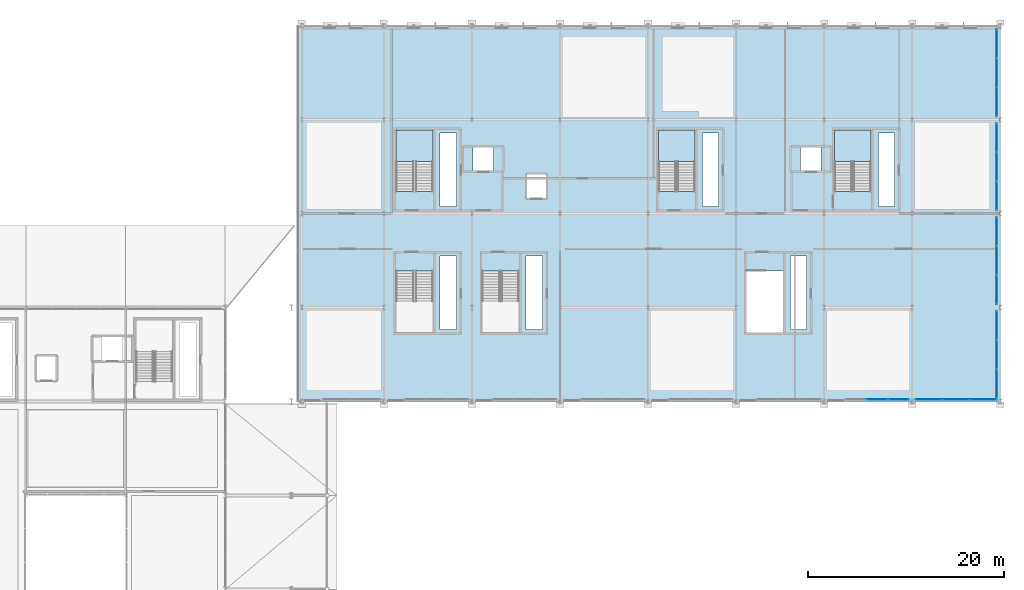
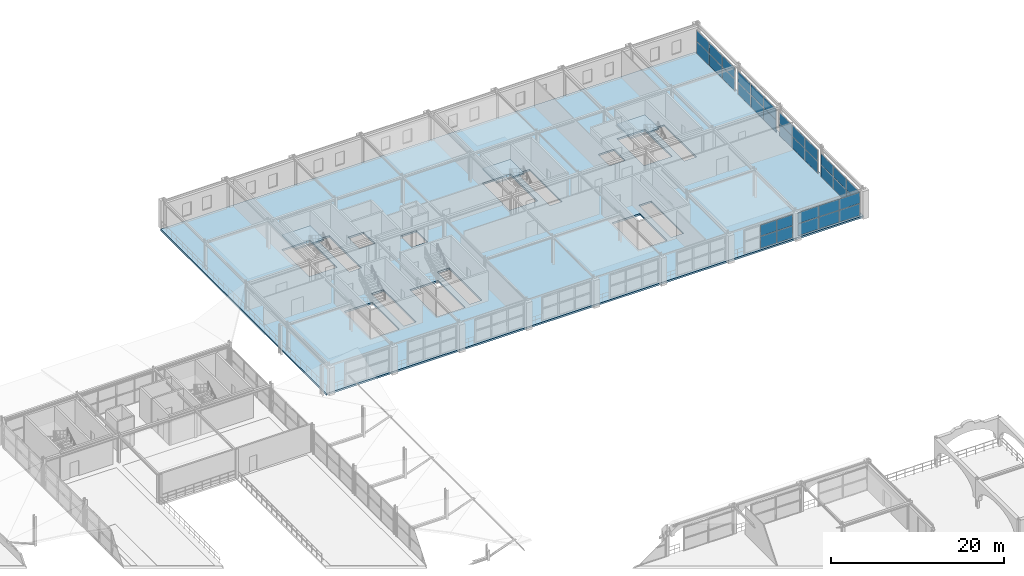
# One storey, part 39 of 81: 34 plates, 4 slabs, 9 elements without a shape of their own.
"""IFC4 building model written with IfcOpenShell, lengths in metres."""

from ifc_helpers import new_model, si_unit, direction, frame, origin, origin_2d, place, context, subcontext, project, spatial, polyline, rectangle, outline, extrude, material, layer, layer_set, type_object, element, aggregate, save


model = new_model("IFC4")

# Units and contexts
model_context = context("Model", 3, precision=1e-05, world=origin(), true_north=direction((0.0, 1.0)))
body_context = subcontext(model_context, "Body", "Model", "MODEL_VIEW")
ifc_project = project(units=[si_unit("LENGTHUNIT", "METRE"), si_unit("AREAUNIT", "SQUARE_METRE"), si_unit("VOLUMEUNIT", "CUBIC_METRE"), si_unit("PLANEANGLEUNIT", "RADIAN"), si_unit("MASSUNIT", "GRAM", prefix="KILO")], contexts=[model_context])

# Site, building, storey
site_placement = place(None, origin())
site = spatial("IfcSite", under=ifc_project, at=site_placement, CompositionType="ELEMENT")
building_placement = place(site_placement, origin())
building = spatial("IfcBuilding", under=site, at=building_placement, Name="Myrtia Square Station", CompositionType="ELEMENT")
storey_placement = place(building_placement, frame((0.0, 0.0, 10.800048828125)))
storey = spatial("IfcBuildingStorey", under=building, at=storey_placement, Name="L02", CompositionType="ELEMENT", Elevation=10.800048828125)

# Curtain wall, plates
ifc_material_1 = material(Name="Dark bronze anodised aluminium", Category="aluminium")
ifc_layer_1 = layer(ifc_material_1, 0.159912109375, Name="Dark bronze anodised aluminium")
ifc_layer_set_1 = layer_set([ifc_layer_1], Name="Dark bronze anodised aluminium")
curtain_wall_type_1 = type_object("IfcCurtainWallType", Name="CW-TYPE-45-840x340", PredefinedType="USERDEFINED", material=ifc_layer_set_1)
curtain_wall_1_placement = place(storey_placement, origin())
curtain_wall_1 = element("IfcCurtainWall", 1, at=curtain_wall_1_placement, inside=storey, type_object=curtain_wall_type_1, Name="Concourse curtain wall CW-L02-147", ObjectType="CONCOURSE CURTAIN WALL", PredefinedType="USERDEFINED")
ifc_material_2 = material(Name="Tinted low-E solar control glass", Category="glass")
ifc_layer_2 = layer(ifc_material_2, 0.02392578125, Name="Tinted low-E solar control glass")
ifc_layer_set_2 = layer_set([ifc_layer_2], Name="Tinted low-E solar control glass")
plate_type_1 = type_object("IfcPlateType", Name="CWP-GLZ-24", PredefinedType="CURTAIN_PANEL", material=ifc_layer_set_2)
plate_1_placement = place(storey_placement, frame((181.71630859375, 86.60009765625, 0.06494140625), z_axis=(0.0, 0.0, 1.0), x_axis=(1.0, 0.0, 0.0)))
plate_1 = element("IfcPlate", 2, at=plate_1_placement, type_object=plate_type_1, Name="CW-147 panel 1.1", PredefinedType="CURTAIN_PANEL", context=body_context, shape_type="SweptSolid", body=[
    extrude(rectangle(XDim=2.702392578125, YDim=0.02392578125, at=origin_2d()), origin(), (0.0, 0.0, 1.0), 1.67041015625),
])
plate_2_placement = place(storey_placement, frame((181.71630859375, 86.60009765625, 1.80029296875), z_axis=(0.0, 0.0, 1.0), x_axis=(1.0, 0.0, 0.0)))
plate_2 = element("IfcPlate", 3, at=plate_2_placement, type_object=plate_type_1, Name="CW-147 panel 1.2", PredefinedType="CURTAIN_PANEL", context=body_context, shape_type="SweptSolid", body=[
    extrude(rectangle(XDim=2.702392578125, YDim=0.02392578125, at=origin_2d()), origin(), (0.0, 0.0, 1.0), 1.534423828125),
])
plate_3_placement = place(storey_placement, frame((184.5, 86.60009765625, 0.06494140625), z_axis=(0.0, 0.0, 1.0), x_axis=(1.0, 0.0, 0.0)))
plate_3 = element("IfcPlate", 4, at=plate_3_placement, type_object=plate_type_1, Name="CW-147 panel 2.1", PredefinedType="CURTAIN_PANEL", context=body_context, shape_type="SweptSolid", body=[
    extrude(rectangle(XDim=2.735107421875, YDim=0.02392578125, at=origin_2d()), origin(), (0.0, 0.0, 1.0), 1.67041015625),
])
plate_4_placement = place(storey_placement, frame((184.5, 86.60009765625, 1.80029296875), z_axis=(0.0, 0.0, 1.0), x_axis=(1.0, 0.0, 0.0)))
plate_4 = element("IfcPlate", 5, at=plate_4_placement, type_object=plate_type_1, Name="CW-147 panel 2.2", PredefinedType="CURTAIN_PANEL", context=body_context, shape_type="SweptSolid", body=[
    extrude(rectangle(XDim=2.735107421875, YDim=0.02392578125, at=origin_2d()), origin(), (0.0, 0.0, 1.0), 1.534423828125),
])
plate_5_placement = place(storey_placement, frame((187.28369140625, 86.60009765625, 0.06494140625), z_axis=(0.0, 0.0, 1.0), x_axis=(1.0, 0.0, 0.0)))
plate_5 = element("IfcPlate", 6, at=plate_5_placement, type_object=plate_type_1, Name="CW-147 panel 3.1", PredefinedType="CURTAIN_PANEL", context=body_context, shape_type="SweptSolid", body=[
    extrude(rectangle(XDim=2.702392578125, YDim=0.02392578125, at=origin_2d()), origin(), (0.0, 0.0, 1.0), 1.67041015625),
])
plate_6_placement = place(storey_placement, frame((187.28369140625, 86.60009765625, 1.80029296875), z_axis=(0.0, 0.0, 1.0), x_axis=(1.0, 0.0, 0.0)))
plate_6 = element("IfcPlate", 7, at=plate_6_placement, type_object=plate_type_1, Name="CW-147 panel 3.2", PredefinedType="CURTAIN_PANEL", context=body_context, shape_type="SweptSolid", body=[
    extrude(rectangle(XDim=2.702392578125, YDim=0.02392578125, at=origin_2d()), origin(), (0.0, 0.0, 1.0), 1.534423828125),
])
aggregate(curtain_wall_1, [plate_1, plate_2, plate_3, plate_4, plate_5, plate_6])

ifc_layer_3 = layer(ifc_material_1, 0.159912109375, Name="Dark bronze anodised aluminium")
ifc_layer_set_3 = layer_set([ifc_layer_3], Name="Dark bronze anodised aluminium")
curtain_wall_type_2 = type_object("IfcCurtainWallType", Name="CW-TYPE-49-900x340", PredefinedType="USERDEFINED", material=ifc_layer_set_3)
curtain_wall_2_placement = place(storey_placement, origin())
curtain_wall_2 = element("IfcCurtainWall", 8, at=curtain_wall_2_placement, inside=storey, type_object=curtain_wall_type_2, Name="Concourse curtain wall CW-L02-160", ObjectType="CONCOURSE CURTAIN WALL", PredefinedType="USERDEFINED")
ifc_layer_4 = layer(ifc_material_2, 0.028076171875, Name="Tinted low-E solar control glass")
ifc_layer_set_4 = layer_set([ifc_layer_4], Name="Tinted low-E solar control glass")
plate_type_2 = type_object("IfcPlateType", Name="CWP-GLZ-28", PredefinedType="CURTAIN_PANEL", material=ifc_layer_set_4)
plate_7_placement = place(storey_placement, frame((188.64990234375, 97.816162109375, 0.06494140625), z_axis=(0.0, 0.0, 1.0), x_axis=(0.0, 1.0, 0.0)))
plate_7 = element("IfcPlate", 9, at=plate_7_placement, type_object=plate_type_2, Name="CW-160 panel 1.1", PredefinedType="CURTAIN_PANEL", context=body_context, shape_type="SweptSolid", body=[
    extrude(rectangle(XDim=2.902587890625, YDim=0.028076171875, at=origin_2d()), origin(), (0.0, 0.0, 1.0), 1.67041015625),
])
plate_8_placement = place(storey_placement, frame((188.64990234375, 97.816162109375, 1.80029296875), z_axis=(0.0, 0.0, 1.0), x_axis=(0.0, 1.0, 0.0)))
plate_8 = element("IfcPlate", 10, at=plate_8_placement, type_object=plate_type_2, Name="CW-160 panel 1.2", PredefinedType="CURTAIN_PANEL", context=body_context, shape_type="SweptSolid", body=[
    extrude(rectangle(XDim=2.902587890625, YDim=0.028076171875, at=origin_2d()), origin(), (0.0, 0.0, 1.0), 1.534423828125),
])
plate_9_placement = place(storey_placement, frame((188.64990234375, 100.800048828125, 0.06494140625), z_axis=(0.0, 0.0, 1.0), x_axis=(0.0, 1.0, 0.0)))
plate_9 = element("IfcPlate", 11, at=plate_9_placement, type_object=plate_type_2, Name="CW-160 panel 2.1", PredefinedType="CURTAIN_PANEL", context=body_context, shape_type="SweptSolid", body=[
    extrude(rectangle(XDim=2.93505859375, YDim=0.028076171875, at=origin_2d()), origin(), (0.0, 0.0, 1.0), 1.67041015625),
])
plate_10_placement = place(storey_placement, frame((188.64990234375, 100.800048828125, 1.80029296875), z_axis=(0.0, 0.0, 1.0), x_axis=(0.0, 1.0, 0.0)))
plate_10 = element("IfcPlate", 12, at=plate_10_placement, type_object=plate_type_2, Name="CW-160 panel 2.2", PredefinedType="CURTAIN_PANEL", context=body_context, shape_type="SweptSolid", body=[
    extrude(rectangle(XDim=2.93505859375, YDim=0.028076171875, at=origin_2d()), origin(), (0.0, 0.0, 1.0), 1.534423828125),
])
plate_11_placement = place(storey_placement, frame((188.64990234375, 103.78369140625, 0.06494140625), z_axis=(0.0, 0.0, 1.0), x_axis=(0.0, 1.0, 0.0)))
plate_11 = element("IfcPlate", 13, at=plate_11_placement, type_object=plate_type_2, Name="CW-160 panel 3.1", PredefinedType="CURTAIN_PANEL", context=body_context, shape_type="SweptSolid", body=[
    extrude(rectangle(XDim=2.902587890625, YDim=0.028076171875, at=origin_2d()), origin(), (0.0, 0.0, 1.0), 1.67041015625),
])
plate_12_placement = place(storey_placement, frame((188.64990234375, 103.78369140625, 1.80029296875), z_axis=(0.0, 0.0, 1.0), x_axis=(0.0, 1.0, 0.0)))
plate_12 = element("IfcPlate", 14, at=plate_12_placement, type_object=plate_type_2, Name="CW-160 panel 3.2", PredefinedType="CURTAIN_PANEL", context=body_context, shape_type="SweptSolid", body=[
    extrude(rectangle(XDim=2.902587890625, YDim=0.028076171875, at=origin_2d()), origin(), (0.0, 0.0, 1.0), 1.534423828125),
])
aggregate(curtain_wall_2, [plate_7, plate_8, plate_9, plate_10, plate_11, plate_12])

curtain_wall_3_placement = place(storey_placement, origin())
curtain_wall_3 = element("IfcCurtainWall", 15, at=curtain_wall_3_placement, inside=storey, type_object=curtain_wall_type_2, Name="Concourse curtain wall CW-L02-164", ObjectType="CONCOURSE CURTAIN WALL", PredefinedType="USERDEFINED")
plate_13_placement = place(storey_placement, frame((188.64990234375, 117.016357421875, 0.06494140625), z_axis=(0.0, 0.0, 1.0), x_axis=(0.0, 1.0, 0.0)))
plate_13 = element("IfcPlate", 16, at=plate_13_placement, type_object=plate_type_2, Name="CW-164 panel 1.1", PredefinedType="CURTAIN_PANEL", context=body_context, shape_type="SweptSolid", body=[
    extrude(rectangle(XDim=2.902587890625, YDim=0.028076171875, at=origin_2d()), origin(), (0.0, 0.0, 1.0), 1.67041015625),
])
plate_14_placement = place(storey_placement, frame((188.64990234375, 117.016357421875, 1.80029296875), z_axis=(0.0, 0.0, 1.0), x_axis=(0.0, 1.0, 0.0)))
plate_14 = element("IfcPlate", 17, at=plate_14_placement, type_object=plate_type_2, Name="CW-164 panel 1.2", PredefinedType="CURTAIN_PANEL", context=body_context, shape_type="SweptSolid", body=[
    extrude(rectangle(XDim=2.902587890625, YDim=0.028076171875, at=origin_2d()), origin(), (0.0, 0.0, 1.0), 1.534423828125),
])
plate_15_placement = place(storey_placement, frame((188.64990234375, 120.0, 0.06494140625), z_axis=(0.0, 0.0, 1.0), x_axis=(0.0, 1.0, 0.0)))
plate_15 = element("IfcPlate", 18, at=plate_15_placement, type_object=plate_type_2, Name="CW-164 panel 2.1", PredefinedType="CURTAIN_PANEL", context=body_context, shape_type="SweptSolid", body=[
    extrude(rectangle(XDim=2.93505859375, YDim=0.028076171875, at=origin_2d()), origin(), (0.0, 0.0, 1.0), 1.67041015625),
])
plate_16_placement = place(storey_placement, frame((188.64990234375, 120.0, 1.80029296875), z_axis=(0.0, 0.0, 1.0), x_axis=(0.0, 1.0, 0.0)))
plate_16 = element("IfcPlate", 19, at=plate_16_placement, type_object=plate_type_2, Name="CW-164 panel 2.2", PredefinedType="CURTAIN_PANEL", context=body_context, shape_type="SweptSolid", body=[
    extrude(rectangle(XDim=2.93505859375, YDim=0.028076171875, at=origin_2d()), origin(), (0.0, 0.0, 1.0), 1.534423828125),
])
plate_17_placement = place(storey_placement, frame((188.64990234375, 122.983642578125, 0.06494140625), z_axis=(0.0, 0.0, 1.0), x_axis=(0.0, 1.0, 0.0)))
plate_17 = element("IfcPlate", 20, at=plate_17_placement, type_object=plate_type_2, Name="CW-164 panel 3.1", PredefinedType="CURTAIN_PANEL", context=body_context, shape_type="SweptSolid", body=[
    extrude(rectangle(XDim=2.902587890625, YDim=0.028076171875, at=origin_2d()), origin(), (0.0, 0.0, 1.0), 1.67041015625),
])
plate_18_placement = place(storey_placement, frame((188.64990234375, 122.983642578125, 1.80029296875), z_axis=(0.0, 0.0, 1.0), x_axis=(0.0, 1.0, 0.0)))
plate_18 = element("IfcPlate", 21, at=plate_18_placement, type_object=plate_type_2, Name="CW-164 panel 3.2", PredefinedType="CURTAIN_PANEL", context=body_context, shape_type="SweptSolid", body=[
    extrude(rectangle(XDim=2.902587890625, YDim=0.028076171875, at=origin_2d()), origin(), (0.0, 0.0, 1.0), 1.534423828125),
])
aggregate(curtain_wall_3, [plate_13, plate_14, plate_15, plate_16, plate_17, plate_18])

ifc_layer_5 = layer(ifc_material_1, 0.159912109375, Name="Dark bronze anodised aluminium")
ifc_layer_set_5 = layer_set([ifc_layer_5], Name="Dark bronze anodised aluminium")
curtain_wall_type_3 = type_object("IfcCurtainWallType", Name="CW-TYPE-40-658x340", PredefinedType="USERDEFINED", material=ifc_layer_set_5)
curtain_wall_4_placement = place(storey_placement, origin())
curtain_wall_4 = element("IfcCurtainWall", 22, at=curtain_wall_4_placement, inside=storey, type_object=curtain_wall_type_3, Name="Concourse curtain wall CW-L02-142", ObjectType="CONCOURSE CURTAIN WALL", PredefinedType="USERDEFINED")
ifc_layer_6 = layer(ifc_material_2, 0.035888671875, Name="Tinted low-E solar control glass")
ifc_layer_set_6 = layer_set([ifc_layer_6], Name="Tinted low-E solar control glass")
plate_type_3 = type_object("IfcPlateType", Name="CWP-GLZ-36", PredefinedType="CURTAIN_PANEL", material=ifc_layer_set_6)
plate_19_placement = place(storey_placement, frame((176.41259765625, 86.60009765625, 0.06494140625), z_axis=(0.0, 0.0, 1.0), x_axis=(1.0, 0.0, 0.0)))
plate_19 = element("IfcPlate", 23, at=plate_19_placement, type_object=plate_type_3, Name="CW-142 panel 2.1", PredefinedType="CURTAIN_PANEL", context=body_context, shape_type="SweptSolid", body=[
    extrude(rectangle(XDim=2.126708984375, YDim=0.035888671875, at=origin_2d()), origin(), (0.0, 0.0, 1.0), 1.67041015625),
])
plate_20_placement = place(storey_placement, frame((176.41259765625, 86.60009765625, 1.80029296875), z_axis=(0.0, 0.0, 1.0), x_axis=(1.0, 0.0, 0.0)))
plate_20 = element("IfcPlate", 24, at=plate_20_placement, type_object=plate_type_3, Name="CW-142 panel 2.2", PredefinedType="CURTAIN_PANEL", context=body_context, shape_type="SweptSolid", body=[
    extrude(rectangle(XDim=2.126708984375, YDim=0.035888671875, at=origin_2d()), origin(), (0.0, 0.0, 1.0), 1.534423828125),
])
plate_21_placement = place(storey_placement, frame((178.587890625, 86.60009765625, 0.06494140625), z_axis=(0.0, 0.0, 1.0), x_axis=(1.0, 0.0, 0.0)))
plate_21 = element("IfcPlate", 25, at=plate_21_placement, type_object=plate_type_3, Name="CW-142 panel 3.1", PredefinedType="CURTAIN_PANEL", context=body_context, shape_type="SweptSolid", body=[
    extrude(rectangle(XDim=2.09423828125, YDim=0.035888671875, at=origin_2d()), origin(), (0.0, 0.0, 1.0), 1.67041015625),
])
plate_22_placement = place(storey_placement, frame((178.587890625, 86.60009765625, 1.80029296875), z_axis=(0.0, 0.0, 1.0), x_axis=(1.0, 0.0, 0.0)))
plate_22 = element("IfcPlate", 26, at=plate_22_placement, type_object=plate_type_3, Name="CW-142 panel 3.2", PredefinedType="CURTAIN_PANEL", context=body_context, shape_type="SweptSolid", body=[
    extrude(rectangle(XDim=2.09423828125, YDim=0.035888671875, at=origin_2d()), origin(), (0.0, 0.0, 1.0), 1.534423828125),
])
aggregate(curtain_wall_4, [plate_19, plate_20, plate_21, plate_22])

curtain_wall_5_placement = place(storey_placement, origin())
curtain_wall_5 = element("IfcCurtainWall", 27, at=curtain_wall_5_placement, inside=storey, type_object=curtain_wall_type_2, Name="Concourse curtain wall CW-L02-158", ObjectType="CONCOURSE CURTAIN WALL", PredefinedType="USERDEFINED")
plate_23_placement = place(storey_placement, frame((188.64990234375, 88.21630859375, 0.06494140625), z_axis=(0.0, 0.0, 1.0), x_axis=(0.0, 1.0, 0.0)))
plate_23 = element("IfcPlate", 28, at=plate_23_placement, type_object=plate_type_3, Name="CW-158 panel 1.1", PredefinedType="CURTAIN_PANEL", context=body_context, shape_type="SweptSolid", body=[
    extrude(rectangle(XDim=2.902587890625, YDim=0.035888671875, at=origin_2d()), origin(), (0.0, 0.0, 1.0), 1.67041015625),
])
plate_24_placement = place(storey_placement, frame((188.64990234375, 88.21630859375, 1.80029296875), z_axis=(0.0, 0.0, 1.0), x_axis=(0.0, 1.0, 0.0)))
plate_24 = element("IfcPlate", 29, at=plate_24_placement, type_object=plate_type_3, Name="CW-158 panel 1.2", PredefinedType="CURTAIN_PANEL", context=body_context, shape_type="SweptSolid", body=[
    extrude(rectangle(XDim=2.902587890625, YDim=0.035888671875, at=origin_2d()), origin(), (0.0, 0.0, 1.0), 1.534423828125),
])
plate_25_placement = place(storey_placement, frame((188.64990234375, 91.199951171875, 0.06494140625), z_axis=(0.0, 0.0, 1.0), x_axis=(0.0, 1.0, 0.0)))
plate_25 = element("IfcPlate", 30, at=plate_25_placement, type_object=plate_type_3, Name="CW-158 panel 2.1", PredefinedType="CURTAIN_PANEL", context=body_context, shape_type="SweptSolid", body=[
    extrude(rectangle(XDim=2.93505859375, YDim=0.035888671875, at=origin_2d()), origin(), (0.0, 0.0, 1.0), 1.67041015625),
])
plate_26_placement = place(storey_placement, frame((188.64990234375, 91.199951171875, 1.80029296875), z_axis=(0.0, 0.0, 1.0), x_axis=(0.0, 1.0, 0.0)))
plate_26 = element("IfcPlate", 31, at=plate_26_placement, type_object=plate_type_3, Name="CW-158 panel 2.2", PredefinedType="CURTAIN_PANEL", context=body_context, shape_type="SweptSolid", body=[
    extrude(rectangle(XDim=2.93505859375, YDim=0.035888671875, at=origin_2d()), origin(), (0.0, 0.0, 1.0), 1.534423828125),
])
plate_27_placement = place(storey_placement, frame((188.64990234375, 94.183837890625, 0.06494140625), z_axis=(0.0, 0.0, 1.0), x_axis=(0.0, 1.0, 0.0)))
plate_27 = element("IfcPlate", 32, at=plate_27_placement, type_object=plate_type_3, Name="CW-158 panel 3.1", PredefinedType="CURTAIN_PANEL", context=body_context, shape_type="SweptSolid", body=[
    extrude(rectangle(XDim=2.902587890625, YDim=0.035888671875, at=origin_2d()), origin(), (0.0, 0.0, 1.0), 1.67041015625),
])
plate_28_placement = place(storey_placement, frame((188.64990234375, 94.183837890625, 1.80029296875), z_axis=(0.0, 0.0, 1.0), x_axis=(0.0, 1.0, 0.0)))
plate_28 = element("IfcPlate", 33, at=plate_28_placement, type_object=plate_type_3, Name="CW-158 panel 3.2", PredefinedType="CURTAIN_PANEL", context=body_context, shape_type="SweptSolid", body=[
    extrude(rectangle(XDim=2.902587890625, YDim=0.035888671875, at=origin_2d()), origin(), (0.0, 0.0, 1.0), 1.534423828125),
])
aggregate(curtain_wall_5, [plate_23, plate_24, plate_25, plate_26, plate_27, plate_28])

curtain_wall_6_placement = place(storey_placement, origin())
curtain_wall_6 = element("IfcCurtainWall", 34, at=curtain_wall_6_placement, inside=storey, type_object=curtain_wall_type_2, Name="Concourse curtain wall CW-L02-162", ObjectType="CONCOURSE CURTAIN WALL", PredefinedType="USERDEFINED")
plate_29_placement = place(storey_placement, frame((188.64990234375, 107.416259765625, 0.06494140625), z_axis=(0.0, 0.0, 1.0), x_axis=(0.0, 1.0, 0.0)))
plate_29 = element("IfcPlate", 35, at=plate_29_placement, type_object=plate_type_3, Name="CW-162 panel 1.1", PredefinedType="CURTAIN_PANEL", context=body_context, shape_type="SweptSolid", body=[
    extrude(rectangle(XDim=2.902587890625, YDim=0.035888671875, at=origin_2d()), origin(), (0.0, 0.0, 1.0), 1.67041015625),
])
plate_30_placement = place(storey_placement, frame((188.64990234375, 107.416259765625, 1.80029296875), z_axis=(0.0, 0.0, 1.0), x_axis=(0.0, 1.0, 0.0)))
plate_30 = element("IfcPlate", 36, at=plate_30_placement, type_object=plate_type_3, Name="CW-162 panel 1.2", PredefinedType="CURTAIN_PANEL", context=body_context, shape_type="SweptSolid", body=[
    extrude(rectangle(XDim=2.902587890625, YDim=0.035888671875, at=origin_2d()), origin(), (0.0, 0.0, 1.0), 1.534423828125),
])
plate_31_placement = place(storey_placement, frame((188.64990234375, 110.39990234375, 0.06494140625), z_axis=(0.0, 0.0, 1.0), x_axis=(0.0, 1.0, 0.0)))
plate_31 = element("IfcPlate", 37, at=plate_31_placement, type_object=plate_type_3, Name="CW-162 panel 2.1", PredefinedType="CURTAIN_PANEL", context=body_context, shape_type="SweptSolid", body=[
    extrude(rectangle(XDim=2.93505859375, YDim=0.035888671875, at=origin_2d()), origin(), (0.0, 0.0, 1.0), 1.67041015625),
])
plate_32_placement = place(storey_placement, frame((188.64990234375, 110.39990234375, 1.80029296875), z_axis=(0.0, 0.0, 1.0), x_axis=(0.0, 1.0, 0.0)))
plate_32 = element("IfcPlate", 38, at=plate_32_placement, type_object=plate_type_3, Name="CW-162 panel 2.2", PredefinedType="CURTAIN_PANEL", context=body_context, shape_type="SweptSolid", body=[
    extrude(rectangle(XDim=2.93505859375, YDim=0.035888671875, at=origin_2d()), origin(), (0.0, 0.0, 1.0), 1.534423828125),
])
plate_33_placement = place(storey_placement, frame((188.64990234375, 113.3837890625, 0.06494140625), z_axis=(0.0, 0.0, 1.0), x_axis=(0.0, 1.0, 0.0)))
plate_33 = element("IfcPlate", 39, at=plate_33_placement, type_object=plate_type_3, Name="CW-162 panel 3.1", PredefinedType="CURTAIN_PANEL", context=body_context, shape_type="SweptSolid", body=[
    extrude(rectangle(XDim=2.902587890625, YDim=0.035888671875, at=origin_2d()), origin(), (0.0, 0.0, 1.0), 1.67041015625),
])
plate_34_placement = place(storey_placement, frame((188.64990234375, 113.3837890625, 1.80029296875), z_axis=(0.0, 0.0, 1.0), x_axis=(0.0, 1.0, 0.0)))
plate_34 = element("IfcPlate", 40, at=plate_34_placement, type_object=plate_type_3, Name="CW-162 panel 3.2", PredefinedType="CURTAIN_PANEL", context=body_context, shape_type="SweptSolid", body=[
    extrude(rectangle(XDim=2.902587890625, YDim=0.035888671875, at=origin_2d()), origin(), (0.0, 0.0, 1.0), 1.534423828125),
])
aggregate(curtain_wall_6, [plate_29, plate_30, plate_31, plate_32, plate_33, plate_34])

# Slab
ifc_material_3 = material(Name="Concrete C35/45", Category="concrete")
ifc_layer_7 = layer(ifc_material_3, 0.25, Name="Concrete C35/45")
ifc_layer_set_7 = layer_set([ifc_layer_7], Name="Concrete C35/45")
slab_type_1 = type_object("IfcSlabType", Name="SLB-FLR-250", PredefinedType="FLOOR", material=ifc_layer_set_7)
slab_1_placement = place(storey_placement, frame((0.0, 0.0, -0.25)))
element("IfcSlab", 41, at=slab_1_placement, inside=storey, type_object=slab_type_1, Name="Structural floor slab SLB-L02-V5", PredefinedType="FLOOR", context=body_context, shape_type="SweptSolid", body=[
    extrude(outline(polyline([(117.14990234375, 86.39990234375), (189.0, 86.39990234375), (189.0, 124.800048828125), (117.14990234375, 124.800048828125), (117.14990234375, 86.39990234375)]), holes=[polyline([(131.75, 106.35009765625), (131.75, 113.85009765625), (133.39990234375, 113.85009765625), (133.39990234375, 106.35009765625), (131.75, 106.35009765625)]), polyline([(176.550048828125, 106.35009765625), (176.550048828125, 113.85009765625), (178.199951171875, 113.85009765625), (178.199951171875, 106.35009765625), (176.550048828125, 106.35009765625)]), polyline([(131.75, 93.75), (131.75, 101.25), (133.39990234375, 101.25), (133.39990234375, 93.75), (131.75, 93.75)]), polyline([(140.550048828125, 93.75), (140.550048828125, 101.25), (142.199951171875, 101.25), (142.199951171875, 93.75), (140.550048828125, 93.75)]), polyline([(158.550048828125, 106.35009765625), (158.550048828125, 113.85009765625), (160.199951171875, 113.85009765625), (160.199951171875, 106.35009765625), (158.550048828125, 106.35009765625)]), polyline([(167.550048828125, 93.75), (167.550048828125, 101.25), (169.199951171875, 101.25), (169.199951171875, 93.75), (167.550048828125, 93.75)]), polyline([(127.25, 107.8798828125), (127.25, 114.14990234375), (131.010009765625, 114.14990234375), (131.010009765625, 107.8798828125), (127.25, 107.8798828125)]), polyline([(172.050048828125, 107.8798828125), (172.050048828125, 114.14990234375), (175.81005859375, 114.14990234375), (175.81005859375, 107.8798828125), (172.050048828125, 107.8798828125)]), polyline([(127.25, 93.449951171875), (127.25, 99.719970703125), (131.010009765625, 99.719970703125), (131.010009765625, 93.449951171875), (127.25, 93.449951171875)]), polyline([(136.050048828125, 93.449951171875), (136.050048828125, 99.719970703125), (139.81005859375, 99.719970703125), (139.81005859375, 93.449951171875), (136.050048828125, 93.449951171875)]), polyline([(154.050048828125, 107.8798828125), (154.050048828125, 114.14990234375), (157.81005859375, 114.14990234375), (157.81005859375, 107.8798828125), (154.050048828125, 107.8798828125)]), polyline([(163.050048828125, 93.449951171875), (163.050048828125, 99.719970703125), (166.81005859375, 99.719970703125), (166.81005859375, 93.449951171875), (163.050048828125, 93.449951171875)]), polyline([(140.550048828125, 107.10009765625), (140.550048828125, 109.699951171875), (142.64990234375, 109.699951171875), (142.64990234375, 107.10009765625), (140.550048828125, 107.10009765625)]), polyline([(135.10009765625, 109.889892578125), (135.10009765625, 112.489990234375), (137.199951171875, 112.489990234375), (137.199951171875, 109.889892578125), (135.10009765625, 109.889892578125)]), polyline([(168.60009765625, 109.889892578125), (168.60009765625, 112.489990234375), (170.699951171875, 112.489990234375), (170.699951171875, 109.889892578125), (168.60009765625, 109.889892578125)])]), origin(), (0.0, 0.0, 1.0), 0.25),
])

# Stair, slab
stair_type = type_object("IfcStairType", Name="STR-04-24R-1800W", PredefinedType="HALF_TURN_STAIR", material=ifc_material_3)
stair_1_placement = place(storey_placement, origin())
stair_1 = element("IfcStair", 42, at=stair_1_placement, inside=storey, type_object=stair_type, Name="L02 Core escape stair ST07", PredefinedType="HALF_TURN_STAIR")
ifc_layer_8 = layer(ifc_material_3, 0.199951171875, Name="Concrete C35/45")
ifc_layer_set_8 = layer_set([ifc_layer_8], Name="Concrete C35/45")
slab_type_2 = type_object("IfcSlabType", Name="SLB-LAND-200", PredefinedType="LANDING", material=ifc_layer_set_8)
slab_2_placement = place(storey_placement, frame((0.0, 0.0, 1.89990234375)))
slab_2 = element("IfcSlab", 43, at=slab_2_placement, type_object=slab_type_2, Name="ST07 landing 1", PredefinedType="LANDING", context=body_context, shape_type="SweptSolid", body=[
    extrude(outline(polyline([(131.010009765625, 110.929931640625), (131.010009765625, 114.14990234375), (127.25, 114.14990234375), (127.25, 110.929931640625), (131.010009765625, 110.929931640625)])), origin(), (0.0, 0.0, 1.0), 0.199951171875),
])
aggregate(stair_1, [slab_2])

stair_2_placement = place(storey_placement, origin())
stair_2 = element("IfcStair", 44, at=stair_2_placement, inside=storey, type_object=stair_type, Name="L02 Core escape stair ST08", PredefinedType="HALF_TURN_STAIR")
slab_3_placement = place(storey_placement, frame((0.0, 0.0, 1.89990234375)))
slab_3 = element("IfcSlab", 45, at=slab_3_placement, type_object=slab_type_2, Name="ST08 landing 1", PredefinedType="LANDING", context=body_context, shape_type="SweptSolid", body=[
    extrude(outline(polyline([(175.81005859375, 110.929931640625), (175.81005859375, 114.14990234375), (172.050048828125, 114.14990234375), (172.050048828125, 110.929931640625), (175.81005859375, 110.929931640625)])), origin(), (0.0, 0.0, 1.0), 0.199951171875),
])
aggregate(stair_2, [slab_3])

stair_3_placement = place(storey_placement, origin())
stair_3 = element("IfcStair", 46, at=stair_3_placement, inside=storey, type_object=stair_type, Name="L02 Core escape stair ST15", PredefinedType="HALF_TURN_STAIR")
slab_4_placement = place(storey_placement, frame((0.0, 0.0, 1.89990234375)))
slab_4 = element("IfcSlab", 47, at=slab_4_placement, type_object=slab_type_2, Name="ST15 landing 1", PredefinedType="LANDING", context=body_context, shape_type="SweptSolid", body=[
    extrude(outline(polyline([(157.81005859375, 110.929931640625), (157.81005859375, 114.14990234375), (154.050048828125, 114.14990234375), (154.050048828125, 110.929931640625), (157.81005859375, 110.929931640625)])), origin(), (0.0, 0.0, 1.0), 0.199951171875),
])
aggregate(stair_3, [slab_4])

save(model, "model.ifc")
